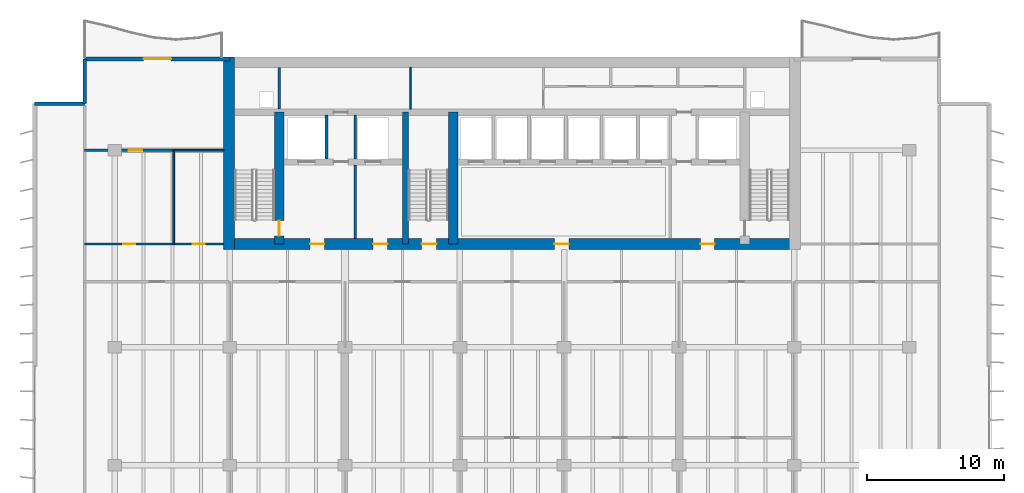
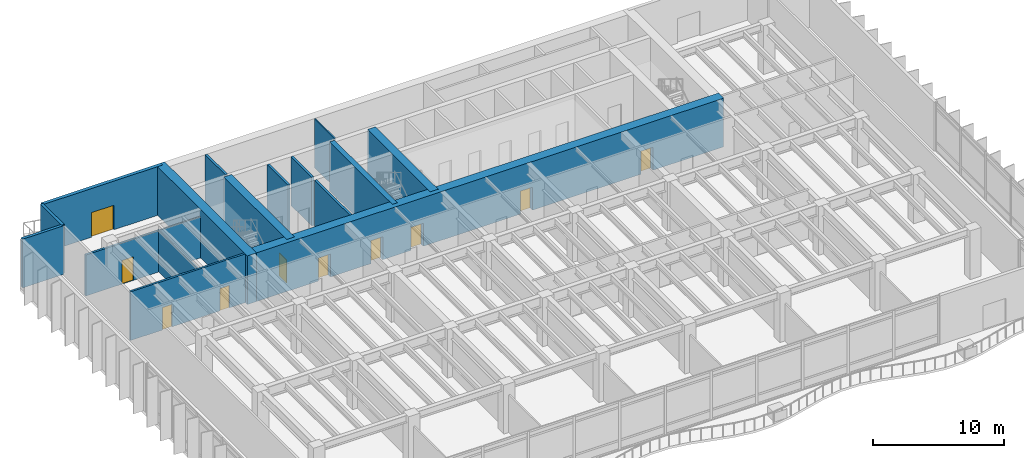
# One storey, part 10 of 16: 17 walls, 10 doors, 10 openings.
"""IFC4 building model written with IfcOpenShell, lengths in metres."""

from ifc_helpers import new_model, si_unit, direction, frame, frame_2d, origin, place, context, subcontext, project, spatial, rectangle, extrude, material, layer, layer_set, type_object, element, fill, save


model = new_model("IFC4")

# Units and contexts
model_context = context("Model", 3, precision=1e-05, world=origin(), true_north=direction((0.0, 1.0)))
body_context = subcontext(model_context, "Body", "Model", "MODEL_VIEW")
ifc_project = project(units=[si_unit("LENGTHUNIT", "METRE"), si_unit("AREAUNIT", "SQUARE_METRE"), si_unit("VOLUMEUNIT", "CUBIC_METRE"), si_unit("PLANEANGLEUNIT", "RADIAN"), si_unit("MASSUNIT", "GRAM", prefix="KILO")], contexts=[model_context])

# Site, building, storey
site_placement = place(None, origin())
site = spatial("IfcSite", under=ifc_project, at=site_placement, CompositionType="ELEMENT")
building_placement = place(site_placement, origin())
building = spatial("IfcBuilding", under=site, at=building_placement, Name="Caelmar Bay Residences", CompositionType="ELEMENT")
storey_placement = place(building_placement, frame((0.0, 0.0, 97.800048828125)))
storey = spatial("IfcBuildingStorey", under=building, at=storey_placement, Name="L26", CompositionType="ELEMENT", Elevation=97.800048828125)

# Wall, opening, door
ifc_material_1 = material(Name="Concrete f'c 55 MPa (8,000 psi)", Category="concrete")
ifc_layer_1 = layer(ifc_material_1, 0.699951171875)
ifc_layer_set_1 = layer_set([ifc_layer_1], Name="Concrete f'c 55 MPa (8,000 psi)")
wall_type_1 = type_object("IfcWallType", Name="SW-COR-700", PredefinedType="SHEAR", material=ifc_layer_set_1)
wall_1_placement = place(storey_placement, frame((21.89990234375, 36.949951171875, 0.0), z_axis=(0.0, 0.0, 1.0), x_axis=(0.0, 1.0, 0.0)))
wall_1 = element("IfcWall", 1, at=wall_1_placement, inside=storey, type_object=wall_type_1, Name="L26 Core Structural Web Wall ST1E", PredefinedType="SHEAR", context=body_context, shape_type="SweptSolid", body=[
    extrude(rectangle(XDim=9.625, YDim=0.699951171875, at=frame_2d((4.8125, 0.0))), origin(), (0.0, 0.0, 1.0), 4.550048828125),
])
opening_1_placement = place(wall_1_placement, frame((0.60009765625, 0.0, 0.0)))
opening_1 = element("IfcOpeningElement", 2, at=opening_1_placement, cuts=wall_1, Name="Opening D-L26-112", PredefinedType="OPENING", context=body_context, shape_type="SweptSolid", body=[
    extrude(rectangle(XDim=1.10009765625, YDim=2.14990234375, at=frame_2d((0.550048828125, 1.074951171875))), frame((0.0, 0.35986328125, 0.0), z_axis=(0.0, -1.0, 0.0), x_axis=(1.0, 0.0, 0.0)), (0.0, 0.0, 1.0), 0.719970703125),
])
ifc_material_2 = material(Name="Fire-rated steel and walnut architectural door assembly", Category="steel")
ifc_layer_2 = layer(ifc_material_2, 0.050048828125)
ifc_layer_set_2 = layer_set([ifc_layer_2], Name="Fire-rated steel and walnut architectural door assembly")
door_type_1 = type_object("IfcDoorType", Name="D-STAIR-1100", OperationType="NOTDEFINED", PredefinedType="DOOR", material=ifc_layer_set_2)
door_1_placement = place(opening_1_placement, origin())
door_1 = element("IfcDoor", 3, at=door_1_placement, inside=storey, type_object=door_type_1, Name="L26 Firefighting Lobby West Door", OperationType="SINGLE_SWING_LEFT", OverallHeight=2.14990234375, OverallWidth=1.10009765625, PredefinedType="DOOR", context=body_context, shape_type="SweptSolid", body=[
    extrude(rectangle(XDim=1.10009765625, YDim=2.14990234375, at=frame_2d((0.550048828125, 1.074951171875))), frame((0.0, 0.02490234375, 0.0), z_axis=(0.0, -1.0, 0.0), x_axis=(1.0, 0.0, 0.0)), (0.0, 0.0, 1.0), 0.050048828125),
])
fill(opening_1, door_1)

# Wall
wall_2_placement = place(storey_placement, frame((34.60009765625, 36.949951171875, 0.0), z_axis=(0.0, 0.0, 1.0), x_axis=(0.0, 1.0, 0.0)))
element("IfcWall", 4, at=wall_2_placement, inside=storey, type_object=wall_type_1, Name="L26 Core Structural Web Wall ST3E", PredefinedType="SHEAR", context=body_context, shape_type="SweptSolid", body=[
    extrude(rectangle(XDim=9.625, YDim=0.699951171875, at=frame_2d((4.8125, 0.0))), origin(), (0.0, 0.0, 1.0), 4.550048828125),
])

# Wall, openings, doors
ifc_material_3 = material(Name="Concrete f'c 70 MPa (10,000 psi)", Category="concrete")
ifc_layer_3 = layer(ifc_material_3, 0.800048828125)
ifc_layer_set_3 = layer_set([ifc_layer_3], Name="Concrete f'c 70 MPa (10,000 psi)")
wall_type_2 = type_object("IfcWallType", Name="SW-COR-800", PredefinedType="SHEAR", material=ifc_layer_set_3)
wall_3_placement = place(storey_placement, frame((17.85009765625, 36.949951171875, 0.0), z_axis=(0.0, 0.0, 1.0), x_axis=(1.0, 0.0, 0.0)))
wall_3 = element("IfcWall", 5, at=wall_3_placement, inside=storey, type_object=wall_type_2, Name="L26 Rear Core South Shear Wall", PredefinedType="SHEAR", context=body_context, shape_type="SweptSolid", body=[
    extrude(rectangle(XDim=42.099853515625, YDim=0.800048828125, at=frame_2d((21.0498046875, 0.0))), origin(), (0.0, 0.0, 1.0), 4.550048828125),
])
opening_2_placement = place(wall_3_placement, frame((14.449951171875, 0.0, 0.0)))
opening_2 = element("IfcOpeningElement", 6, at=opening_2_placement, cuts=wall_3, Name="Opening D-L26-110", PredefinedType="OPENING", context=body_context, shape_type="SweptSolid", body=[
    extrude(rectangle(XDim=1.10009765625, YDim=2.14990234375, at=frame_2d((0.550048828125, 1.074951171875))), frame((0.0, 0.409912109375, 0.0), z_axis=(0.0, -1.0, 0.0), x_axis=(1.0, 0.0, 0.0)), (0.0, 0.0, 1.0), 0.820068359375),
])
opening_3_placement = place(wall_3_placement, frame((6.300048828125, 0.0, 0.0)))
opening_3 = element("IfcOpeningElement", 7, at=opening_3_placement, cuts=wall_3, Name="Opening D-L26-111", PredefinedType="OPENING", context=body_context, shape_type="SweptSolid", body=[
    extrude(rectangle(XDim=1.050048828125, YDim=2.14990234375, at=frame_2d((0.52490234375, 1.074951171875))), frame((0.0, 0.409912109375, 0.0), z_axis=(0.0, -1.0, 0.0), x_axis=(1.0, 0.0, 0.0)), (0.0, 0.0, 1.0), 0.820068359375),
])
opening_4_placement = place(wall_3_placement, frame((34.800048828125, 0.0, 0.0)))
opening_4 = element("IfcOpeningElement", 8, at=opening_4_placement, cuts=wall_3, Name="Opening D-L26-114", PredefinedType="OPENING", context=body_context, shape_type="SweptSolid", body=[
    extrude(rectangle(XDim=1.050048828125, YDim=2.14990234375, at=frame_2d((0.52490234375, 1.074951171875))), frame((0.0, 0.409912109375, 0.0), z_axis=(0.0, -1.0, 0.0), x_axis=(1.0, 0.0, 0.0)), (0.0, 0.0, 1.0), 0.820068359375),
])
opening_5_placement = place(wall_3_placement, frame((10.91259765625, 0.0, 0.0)))
opening_5 = element("IfcOpeningElement", 9, at=opening_5_placement, cuts=wall_3, Name="Opening D-L26-117", PredefinedType="OPENING", context=body_context, shape_type="SweptSolid", body=[
    extrude(rectangle(XDim=1.050048828125, YDim=2.14990234375, at=frame_2d((0.52490234375, 1.074951171875))), frame((0.0, 0.409912109375, 0.0), z_axis=(0.0, -1.0, 0.0), x_axis=(1.0, 0.0, 0.0)), (0.0, 0.0, 1.0), 0.820068359375),
])
opening_6_placement = place(wall_3_placement, frame((24.14990234375, 0.0, 0.0)))
opening_6 = element("IfcOpeningElement", 10, at=opening_6_placement, cuts=wall_3, Name="Opening D-L26-118", PredefinedType="OPENING", context=body_context, shape_type="SweptSolid", body=[
    extrude(rectangle(XDim=1.050048828125, YDim=2.14990234375, at=frame_2d((0.52490234375, 1.074951171875))), frame((0.0, 0.409912109375, 0.0), z_axis=(0.0, -1.0, 0.0), x_axis=(1.0, 0.0, 0.0)), (0.0, 0.0, 1.0), 0.820068359375),
])
ifc_layer_4 = layer(ifc_material_2, 0.050048828125)
ifc_layer_set_4 = layer_set([ifc_layer_4], Name="Fire-rated steel and walnut architectural door assembly")
door_type_2 = type_object("IfcDoorType", Name="D-FSAE-1050", OperationType="NOTDEFINED", PredefinedType="DOOR", material=ifc_layer_set_4)
door_2_placement = place(opening_3_placement, origin())
door_2 = element("IfcDoor", 11, at=door_2_placement, inside=storey, type_object=door_type_2, Name="L26 Firefighting Lobby West Door", OperationType="SINGLE_SWING_RIGHT", OverallHeight=2.14990234375, OverallWidth=1.050048828125, PredefinedType="DOOR", context=body_context, shape_type="SweptSolid", body=[
    extrude(rectangle(XDim=1.050048828125, YDim=2.14990234375, at=frame_2d((0.52490234375, 1.074951171875))), frame((0.0, 0.02490234375, 0.0), z_axis=(0.0, -1.0, 0.0), x_axis=(1.0, 0.0, 0.0)), (0.0, 0.0, 1.0), 0.050048828125),
])
fill(opening_3, door_2)
door_3_placement = place(opening_4_placement, origin())
door_3 = element("IfcDoor", 12, at=door_3_placement, inside=storey, type_object=door_type_2, Name="L26 Firefighting Lobby East Door", OperationType="SINGLE_SWING_LEFT", OverallHeight=2.14990234375, OverallWidth=1.050048828125, PredefinedType="DOOR", context=body_context, shape_type="SweptSolid", body=[
    extrude(rectangle(XDim=1.050048828125, YDim=2.14990234375, at=frame_2d((0.52490234375, 1.074951171875))), frame((0.0, 0.02490234375, 0.0), z_axis=(0.0, -1.0, 0.0), x_axis=(1.0, 0.0, 0.0)), (0.0, 0.0, 1.0), 0.050048828125),
])
fill(opening_4, door_3)
door_4_placement = place(opening_5_placement, origin())
door_4 = element("IfcDoor", 13, at=door_4_placement, inside=storey, type_object=door_type_2, Name="L26 West Lift Lobby Door", OperationType="SINGLE_SWING_RIGHT", OverallHeight=2.14990234375, OverallWidth=1.050048828125, PredefinedType="DOOR", context=body_context, shape_type="SweptSolid", body=[
    extrude(rectangle(XDim=1.050048828125, YDim=2.14990234375, at=frame_2d((0.52490234375, 1.074951171875))), frame((0.0, 0.02490234375, 0.0), z_axis=(0.0, -1.0, 0.0), x_axis=(1.0, 0.0, 0.0)), (0.0, 0.0, 1.0), 0.050048828125),
])
fill(opening_5, door_4)
door_5_placement = place(opening_6_placement, origin())
door_5 = element("IfcDoor", 14, at=door_5_placement, inside=storey, type_object=door_type_2, Name="L26 Passenger Lift Lobby Door", OperationType="SINGLE_SWING_LEFT", OverallHeight=2.14990234375, OverallWidth=1.050048828125, PredefinedType="DOOR", context=body_context, shape_type="SweptSolid", body=[
    extrude(rectangle(XDim=1.050048828125, YDim=2.14990234375, at=frame_2d((0.52490234375, 1.074951171875))), frame((0.0, 0.02490234375, 0.0), z_axis=(0.0, -1.0, 0.0), x_axis=(1.0, 0.0, 0.0)), (0.0, 0.0, 1.0), 0.050048828125),
])
fill(opening_6, door_5)
door_6_placement = place(opening_2_placement, origin())
door_6 = element("IfcDoor", 15, at=door_6_placement, inside=storey, type_object=door_type_1, Name="L26 Exit Stair ST3 Door", OperationType="SINGLE_SWING_LEFT", OverallHeight=2.14990234375, OverallWidth=1.10009765625, PredefinedType="DOOR", context=body_context, shape_type="SweptSolid", body=[
    extrude(rectangle(XDim=1.10009765625, YDim=2.14990234375, at=frame_2d((0.550048828125, 1.074951171875))), frame((0.0, 0.02490234375, 0.0), z_axis=(0.0, -1.0, 0.0), x_axis=(1.0, 0.0, 0.0)), (0.0, 0.0, 1.0), 0.050048828125),
])
fill(opening_2, door_6)

# Walls
wall_4_placement = place(storey_placement, frame((18.25, 36.550048828125, 0.0), z_axis=(0.0, 0.0, 1.0), x_axis=(0.0, 1.0, 0.0)))
element("IfcWall", 16, at=wall_4_placement, inside=storey, type_object=wall_type_2, Name="L26 Rear Core West Shear Wall", PredefinedType="SHEAR", context=body_context, shape_type="SweptSolid", body=[
    extrude(rectangle(XDim=14.050048828125, YDim=0.800048828125, at=frame_2d((7.02490234375, 0.0))), origin(), (0.0, 0.0, 1.0), 4.550048828125),
])
ifc_layer_5 = layer(ifc_material_3, 0.449951171875)
ifc_layer_set_5 = layer_set([ifc_layer_5], Name="Concrete f'c 70 MPa (10,000 psi)")
wall_type_3 = type_object("IfcWallType", Name="SW-WEB-450", PredefinedType="SHEAR", material=ifc_layer_set_5)
wall_5_placement = place(storey_placement, frame((31.125, 36.949951171875, 0.0), z_axis=(0.0, 0.0, 1.0), x_axis=(0.0, 1.0, 0.0)))
element("IfcWall", 17, at=wall_5_placement, inside=storey, type_object=wall_type_3, Name="L26 Core Structural Web Wall ST3W", PredefinedType="SHEAR", context=body_context, shape_type="SweptSolid", body=[
    extrude(rectangle(XDim=9.625, YDim=0.449951171875, at=frame_2d((4.8125, 0.0))), origin(), (0.0, 0.0, 1.0), 4.550048828125),
])

# Wall, openings, doors
ifc_material_4 = material(Name="Double-stud acoustic fire-rated gypsum partition 180 mm")
ifc_layer_6 = layer(ifc_material_4, 0.179931640625)
ifc_layer_set_6 = layer_set([ifc_layer_6], Name="Double-stud acoustic fire-rated gypsum partition 180 mm")
wall_type_4 = type_object("IfcWallType", Name="W-COR-200", PredefinedType="PARTITIONING", material=ifc_layer_set_6)
wall_6_placement = place(storey_placement, frame((7.699951171875, 36.949951171875, 0.0), z_axis=(0.0, 0.0, 1.0), x_axis=(1.0, 0.0, 0.0)))
wall_6 = element("IfcWall", 18, at=wall_6_placement, inside=storey, type_object=wall_type_4, Name="L26 Partition Wall H034", PredefinedType="PARTITIONING", context=body_context, shape_type="SweptSolid", body=[
    extrude(rectangle(XDim=10.14501953125, YDim=0.179931640625, at=frame_2d((5.072509765625, 0.0))), origin(), (0.0, 0.0, 1.0), 4.550048828125),
])
opening_7_placement = place(wall_6_placement, frame((2.824951171875, 0.0, 0.0)))
opening_7 = element("IfcOpeningElement", 19, at=opening_7_placement, cuts=wall_6, Name="Opening D-L26-133", PredefinedType="OPENING", context=body_context, shape_type="SweptSolid", body=[
    extrude(rectangle(XDim=0.85009765625, YDim=2.10009765625, at=frame_2d((0.425048828125, 1.050048828125))), frame((0.0, 0.099853515625, 0.0), z_axis=(0.0, -1.0, 0.0), x_axis=(1.0, 0.0, 0.0)), (0.0, 0.0, 1.0), 0.199951171875),
])
opening_8_placement = place(wall_6_placement, frame((7.8974609375, 0.0, 0.0)))
opening_8 = element("IfcOpeningElement", 20, at=opening_8_placement, cuts=wall_6, Name="Opening D-L26-134", PredefinedType="OPENING", context=body_context, shape_type="SweptSolid", body=[
    extrude(rectangle(XDim=0.85009765625, YDim=2.10009765625, at=frame_2d((0.425048828125, 1.050048828125))), frame((0.0, 0.099853515625, 0.0), z_axis=(0.0, -1.0, 0.0), x_axis=(1.0, 0.0, 0.0)), (0.0, 0.0, 1.0), 0.199951171875),
])
ifc_layer_7 = layer(ifc_material_2, 0.050048828125)
ifc_layer_set_7 = layer_set([ifc_layer_7], Name="Fire-rated steel and walnut architectural door assembly")
door_type_3 = type_object("IfcDoorType", Name="D-CORE-850", OperationType="NOTDEFINED", PredefinedType="DOOR", material=ifc_layer_set_7)
door_7_placement = place(opening_7_placement, origin())
door_7 = element("IfcDoor", 21, at=door_7_placement, inside=storey, type_object=door_type_3, Name="L26 Sky Lobby 1 Public Restroom Door", OperationType="SINGLE_SWING_RIGHT", OverallHeight=2.10009765625, OverallWidth=0.85009765625, PredefinedType="DOOR", context=body_context, shape_type="SweptSolid", body=[
    extrude(rectangle(XDim=0.85009765625, YDim=2.10009765625, at=frame_2d((0.425048828125, 1.050048828125))), frame((0.0, 0.02490234375, 0.0), z_axis=(0.0, -1.0, 0.0), x_axis=(1.0, 0.0, 0.0)), (0.0, 0.0, 1.0), 0.050048828125),
])
fill(opening_7, door_7)
door_8_placement = place(opening_8_placement, origin())
door_8 = element("IfcDoor", 22, at=door_8_placement, inside=storey, type_object=door_type_3, Name="L26 Sky Lobby 1 Accessible WC Door", OperationType="SINGLE_SWING_LEFT", OverallHeight=2.10009765625, OverallWidth=0.85009765625, PredefinedType="DOOR", context=body_context, shape_type="SweptSolid", body=[
    extrude(rectangle(XDim=0.85009765625, YDim=2.10009765625, at=frame_2d((0.425048828125, 1.050048828125))), frame((0.0, 0.02490234375, 0.0), z_axis=(0.0, -1.0, 0.0), x_axis=(1.0, 0.0, 0.0)), (0.0, 0.0, 1.0), 0.050048828125),
])
fill(opening_8, door_8)

# Wall, opening, door
wall_7_placement = place(storey_placement, frame((7.699951171875, 43.800048828125, 0.0), z_axis=(0.0, 0.0, 1.0), x_axis=(1.0, 0.0, 0.0)))
wall_7 = element("IfcWall", 23, at=wall_7_placement, inside=storey, type_object=wall_type_4, Name="L26 Partition Wall H036", PredefinedType="PARTITIONING", context=body_context, shape_type="SweptSolid", body=[
    extrude(rectangle(XDim=6.5, YDim=0.179931640625, at=frame_2d((3.25, 0.0))), origin(), (0.0, 0.0, 1.0), 3.8388671875),
])
opening_9_placement = place(wall_7_placement, frame((3.199951171875, 0.0, 0.0)))
opening_9 = element("IfcOpeningElement", 24, at=opening_9_placement, cuts=wall_7, Name="Opening D-L26-138", PredefinedType="OPENING", context=body_context, shape_type="SweptSolid", body=[
    extrude(rectangle(XDim=1.0, YDim=2.199951171875, at=frame_2d((0.5, 1.10009765625))), frame((0.0, 0.099853515625, 0.0), z_axis=(0.0, -1.0, 0.0), x_axis=(1.0, 0.0, 0.0)), (0.0, 0.0, 1.0), 0.199951171875),
])
ifc_layer_8 = layer(ifc_material_2, 0.050048828125)
ifc_layer_set_8 = layer_set([ifc_layer_8], Name="Fire-rated steel and walnut architectural door assembly")
door_type_4 = type_object("IfcDoorType", Name="D-UNIT-1000", OperationType="NOTDEFINED", PredefinedType="DOOR", material=ifc_layer_set_8)
door_9_placement = place(opening_9_placement, origin())
door_9 = element("IfcDoor", 25, at=door_9_placement, inside=storey, type_object=door_type_4, Name="L26 Sky Lobby 1 Chair Storage Door", OperationType="SINGLE_SWING_LEFT", OverallHeight=2.199951171875, OverallWidth=1.0, PredefinedType="DOOR", context=body_context, shape_type="SweptSolid", body=[
    extrude(rectangle(XDim=1.0, YDim=2.199951171875, at=frame_2d((0.5, 1.10009765625))), frame((0.0, 0.02490234375, 0.0), z_axis=(0.0, -1.0, 0.0), x_axis=(1.0, 0.0, 0.0)), (0.0, 0.0, 1.0), 0.050048828125),
])
fill(opening_9, door_9)

# Walls
ifc_material_5 = material(Name="Precast concrete f'c 40 MPa (6,000 psi)", Category="concrete")
ifc_layer_9 = layer(ifc_material_5, 0.25)
ifc_layer_set_9 = layer_set([ifc_layer_9], Name="Precast concrete f'c 40 MPa (6,000 psi)")
wall_type_5 = type_object("IfcWallType", Name="W-EXT-250", PredefinedType="ELEMENTEDWALL", material=ifc_layer_set_9)
wall_8_placement = place(storey_placement, frame((4.050048828125, 47.199951171875, 0.0), z_axis=(0.0, 0.0, 1.0), x_axis=(1.0, 0.0, 0.0)))
element("IfcWall", 26, at=wall_8_placement, inside=storey, type_object=wall_type_5, Name="L26 NNW-H Notch Wall", PredefinedType="ELEMENTEDWALL", context=body_context, shape_type="SweptSolid", body=[
    extrude(rectangle(XDim=3.64990234375, YDim=0.25, at=frame_2d((1.824951171875, 0.0))), origin(), (0.0, 0.0, 1.0), 4.550048828125),
])
wall_9_placement = place(storey_placement, frame((7.699951171875, 47.199951171875, 0.0), z_axis=(0.0, 0.0, 1.0), x_axis=(0.0, 1.0, 0.0)))
element("IfcWall", 27, at=wall_9_placement, inside=storey, type_object=wall_type_5, Name="L26 NNW-V Notch Wall", PredefinedType="ELEMENTEDWALL", context=body_context, shape_type="SweptSolid", body=[
    extrude(rectangle(XDim=3.25, YDim=0.25, at=frame_2d((1.625, 0.0))), origin(), (0.0, 0.0, 1.0), 4.550048828125),
])

# Wall, opening, door
ifc_layer_10 = layer(ifc_material_5, 0.300048828125)
ifc_layer_set_10 = layer_set([ifc_layer_10], Name="Precast concrete f'c 40 MPa (6,000 psi)")
wall_type_6 = type_object("IfcWallType", Name="W-EXT-300", PredefinedType="STANDARD", material=ifc_layer_set_10)
wall_10_placement = place(storey_placement, frame((7.699951171875, 50.449951171875, 0.0), z_axis=(0.0, 0.0, 1.0), x_axis=(1.0, 0.0, 0.0)))
wall_10 = element("IfcWall", 28, at=wall_10_placement, inside=storey, type_object=wall_type_6, Name="L26 North-West Wing Exterior Wall", PredefinedType="STANDARD", context=body_context, shape_type="SweptSolid", body=[
    extrude(rectangle(XDim=10.60009765625, YDim=0.300048828125, at=frame_2d((5.300048828125, 0.0))), origin(), (0.0, 0.0, 1.0), 4.550048828125),
])
opening_10_placement = place(wall_10_placement, frame((4.300048828125, 0.0, 0.0)))
opening_10 = element("IfcOpeningElement", 29, at=opening_10_placement, cuts=wall_10, Name="Opening L26-BDNW", PredefinedType="OPENING", context=body_context, shape_type="SweptSolid", body=[
    extrude(rectangle(XDim=2.0, YDim=2.300048828125, at=frame_2d((1.0, 1.14990234375))), frame((0.0, 0.159912109375, 0.0), z_axis=(0.0, -1.0, 0.0), x_axis=(1.0, 0.0, 0.0)), (0.0, 0.0, 1.0), 0.320068359375),
])
ifc_material_6 = material(Name="Anodised bronze thermally broken sliding glass door", Category="glass")
ifc_layer_11 = layer(ifc_material_6, 0.050048828125)
ifc_layer_set_11 = layer_set([ifc_layer_11], Name="Anodised bronze thermally broken sliding glass door")
door_type_5 = type_object("IfcDoorType", Name="D-BAL-2000", OperationType="DOUBLE_DOOR_SLIDING", PredefinedType="DOOR", material=ifc_layer_set_11)
door_10_placement = place(opening_10_placement, origin())
door_10 = element("IfcDoor", 30, at=door_10_placement, inside=storey, type_object=door_type_5, Name="L26 North-West Balcony Door", OperationType="DOUBLE_DOOR_SLIDING", OverallHeight=2.300048828125, OverallWidth=2.0, PredefinedType="DOOR", context=body_context, shape_type="SweptSolid", body=[
    extrude(rectangle(XDim=2.0, YDim=2.300048828125, at=frame_2d((1.0, 1.14990234375))), frame((0.0, 0.02490234375, 0.0), z_axis=(0.0, -1.0, 0.0), x_axis=(1.0, 0.0, 0.0)), (0.0, 0.0, 1.0), 0.050048828125),
])
fill(opening_10, door_10)

# Walls
ifc_material_7 = material(Name="Fire-rated masonry and gypsum shaftliner assembly 200 mm", Category="masonry")
ifc_layer_12 = layer(ifc_material_7, 0.199951171875)
ifc_layer_set_12 = layer_set([ifc_layer_12], Name="Fire-rated masonry and gypsum shaftliner assembly 200 mm")
wall_type_7 = type_object("IfcWallType", Name="W-FSAE-200", PredefinedType="PARTITIONING", material=ifc_layer_set_12)
wall_11_placement = place(storey_placement, frame((21.89990234375, 46.794921875, 0.0), z_axis=(0.0, 0.0, 1.0), x_axis=(0.0, 1.0, 0.0)))
element("IfcWall", 31, at=wall_11_placement, inside=storey, type_object=wall_type_7, Name="L26 Partition Wall V004", PredefinedType="PARTITIONING", context=body_context, shape_type="SweptSolid", body=[
    extrude(rectangle(XDim=3.06005859375, YDim=0.199951171875, at=frame_2d((1.530029296875, 0.0))), origin(), (0.0, 0.0, 1.0), 4.550048828125),
])
wall_12_placement = place(storey_placement, frame((25.35009765625, 43.169921875, 0.0), z_axis=(0.0, 0.0, 1.0), x_axis=(0.0, 1.0, 0.0)))
element("IfcWall", 32, at=wall_12_placement, inside=storey, type_object=wall_type_7, Name="L26 Partition Wall V005", PredefinedType="PARTITIONING", context=body_context, shape_type="SweptSolid", body=[
    extrude(rectangle(XDim=3.18505859375, YDim=0.199951171875, at=frame_2d((1.592529296875, 0.0))), origin(), (0.0, 0.0, 1.0), 4.550048828125),
])
wall_13_placement = place(storey_placement, frame((27.449951171875, 37.344970703125, 0.0), z_axis=(0.0, 0.0, 1.0), x_axis=(0.0, 1.0, 0.0)))
element("IfcWall", 33, at=wall_13_placement, inside=storey, type_object=wall_type_7, Name="L26 Partition Wall V008", PredefinedType="PARTITIONING", context=body_context, shape_type="SweptSolid", body=[
    extrude(rectangle(XDim=5.385009765625, YDim=0.199951171875, at=frame_2d((2.6923828125, 0.0))), origin(), (0.0, 0.0, 1.0), 4.550048828125),
])
wall_14_placement = place(storey_placement, frame((27.449951171875, 43.169921875, 0.0), z_axis=(0.0, 0.0, 1.0), x_axis=(0.0, 1.0, 0.0)))
element("IfcWall", 34, at=wall_14_placement, inside=storey, type_object=wall_type_7, Name="L26 Partition Wall V009", PredefinedType="PARTITIONING", context=body_context, shape_type="SweptSolid", body=[
    extrude(rectangle(XDim=3.18505859375, YDim=0.199951171875, at=frame_2d((1.592529296875, 0.0))), origin(), (0.0, 0.0, 1.0), 4.550048828125),
])
ifc_material_8 = material(Name="Acoustic metal-stud gypsum partition 120 mm")
ifc_layer_13 = layer(ifc_material_8, 0.1201171875)
ifc_layer_set_13 = layer_set([ifc_layer_13], Name="Acoustic metal-stud gypsum partition 120 mm")
wall_type_8 = type_object("IfcWallType", Name="W-PRT-120", PredefinedType="PARTITIONING", material=ifc_layer_set_13)
wall_15_placement = place(storey_placement, frame((14.199951171875, 36.949951171875, 0.0), z_axis=(0.0, 0.0, 1.0), x_axis=(0.0, 1.0, 0.0)))
element("IfcWall", 35, at=wall_15_placement, inside=storey, type_object=wall_type_8, Name="L26 Partition Wall V002", PredefinedType="PARTITIONING", context=body_context, shape_type="SweptSolid", body=[
    extrude(rectangle(XDim=6.85009765625, YDim=0.1201171875, at=frame_2d((3.425048828125, 0.0))), origin(), (0.0, 0.0, 1.0), 3.9228515625),
])
wall_16_placement = place(storey_placement, frame((31.5, 46.794921875, 0.0), z_axis=(0.0, 0.0, 1.0), x_axis=(0.0, 1.0, 0.0)))
element("IfcWall", 36, at=wall_16_placement, inside=storey, type_object=wall_type_8, Name="L26 Partition Wall V010", PredefinedType="PARTITIONING", context=body_context, shape_type="SweptSolid", body=[
    extrude(rectangle(XDim=3.06005859375, YDim=0.1201171875, at=frame_2d((1.530029296875, 0.0))), origin(), (0.0, 0.0, 1.0), 4.550048828125),
])
wall_17_placement = place(storey_placement, frame((14.205078125, 43.800048828125, 0.0), z_axis=(0.0, 0.0, 1.0), x_axis=(1.0, 0.0, 0.0)))
element("IfcWall", 37, at=wall_17_placement, inside=storey, type_object=wall_type_8, Name="L26 Partition Wall H037", PredefinedType="PARTITIONING", context=body_context, shape_type="SweptSolid", body=[
    extrude(rectangle(XDim=3.64990234375, YDim=0.1201171875, at=frame_2d((1.824951171875, 0.0))), origin(), (0.0, 0.0, 1.0), 3.8388671875),
])

save(model, "model.ifc")
